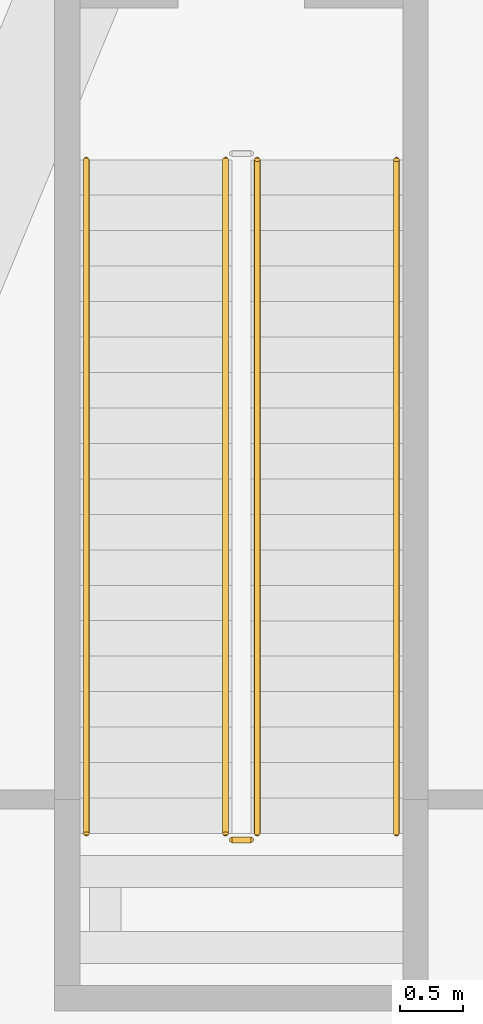
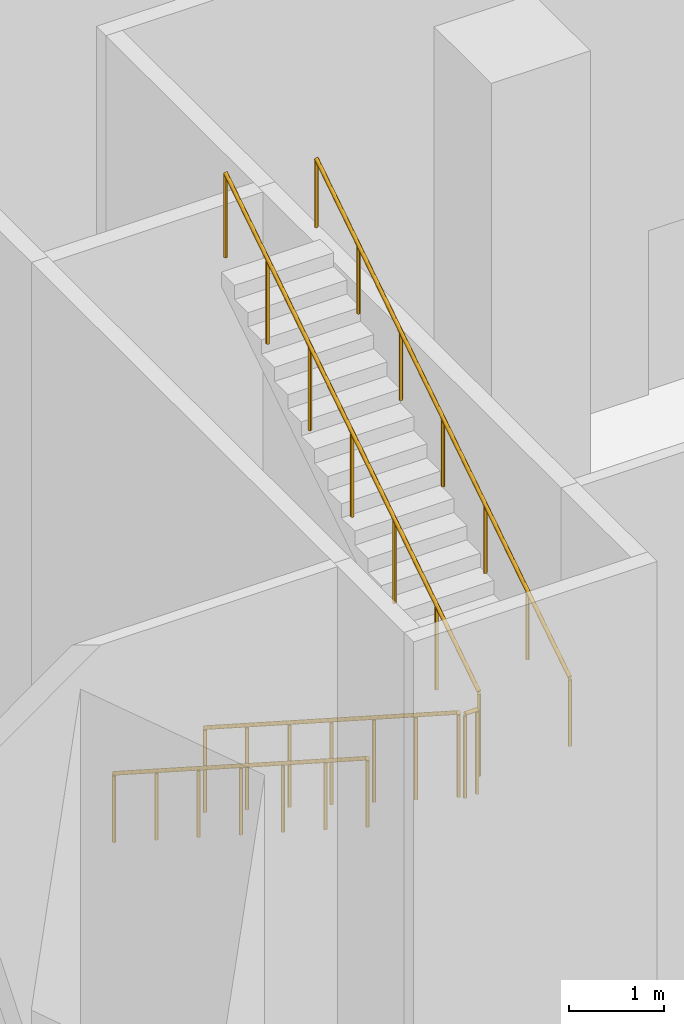
# One storey, part 40 of 48: 5 railings.
"""IFC4 building model written with IfcOpenShell, lengths in metres."""

from ifc_helpers import new_model, si_unit, direction, frame, origin, origin_2d, place, context, subcontext, project, spatial, circle, extrude, material, type_object, element, save


model = new_model("IFC4")

# Units and contexts
model_context = context("Model", 3, precision=1e-05, world=origin(), true_north=direction((0.0, 1.0)))
body_context = subcontext(model_context, "Body", "Model", "MODEL_VIEW")
ifc_project = project(units=[si_unit("LENGTHUNIT", "METRE"), si_unit("AREAUNIT", "SQUARE_METRE"), si_unit("VOLUMEUNIT", "CUBIC_METRE"), si_unit("PLANEANGLEUNIT", "RADIAN"), si_unit("MASSUNIT", "GRAM", prefix="KILO")], contexts=[model_context])

# Site, building, storey
site_placement = place(None, origin())
site = spatial("IfcSite", under=ifc_project, at=site_placement, CompositionType="ELEMENT")
building_placement = place(site_placement, origin())
building = spatial("IfcBuilding", under=site, at=building_placement, Name="Ogive Gate Towers", CompositionType="ELEMENT")
storey_placement = place(building_placement, origin())
storey = spatial("IfcBuildingStorey", under=building, at=storey_placement, Name="L00", CompositionType="ELEMENT", Elevation=0.0)

# Railings
ifc_material_1 = material(Name="Steel and glass guard", Category="steel")
railing_type_1 = type_object("IfcRailingType", Name="Podium stair guard 1100", PredefinedType="GUARDRAIL", material=ifc_material_1)
railing_1_placement = place(storey_placement, frame((58.14990234375, -10.949951171875, 0.179931640625)))
element("IfcRailing", 1, at=railing_1_placement, inside=storey, type_object=railing_type_1, Name="L00 PS2 stair guard 1", PredefinedType="GUARDRAIL", context=body_context, shape_type="SweptSolid", body=[
    extrude(circle(Radius=0.02392578125, at=origin_2d()), frame((0.0, 0.0, 1.076171875), z_axis=(0.0, -0.841169695817, 0.540771248162), x_axis=(1.0, 0.0, 0.0)), (0.0, 0.0, 1.0), 6.32470703125),
    extrude(circle(Radius=0.02099609375, at=origin_2d()), origin(), (0.0, 0.0, 1.0), 1.052001953125),
    extrude(circle(Radius=0.02099609375, at=origin_2d()), frame((0.0, -0.88671875, 0.570068359375)), (0.0, 0.0, 1.0), 1.052001953125),
    extrude(circle(Radius=0.02099609375, at=origin_2d()), frame((0.0, -1.7734375, 1.14013671875)), (0.0, 0.0, 1.0), 1.052001953125),
    extrude(circle(Radius=0.02099609375, at=origin_2d()), frame((0.0, -2.66015625, 1.7099609375)), (0.0, 0.0, 1.0), 1.052001953125),
    extrude(circle(Radius=0.02099609375, at=origin_2d()), frame((0.0, -3.546630859375, 2.280029296875)), (0.0, 0.0, 1.0), 1.052001953125),
    extrude(circle(Radius=0.02099609375, at=origin_2d()), frame((0.0, -4.433349609375, 2.85009765625)), (0.0, 0.0, 1.0), 1.052001953125),
    extrude(circle(Radius=0.02099609375, at=origin_2d()), frame((0.0, -5.320068359375, 3.420166015625)), (0.0, 0.0, 1.0), 1.052001953125),
])
railing_2_placement = place(storey_placement, frame((58.199951171875, -16.320068359375, 3.60009765625)))
element("IfcRailing", 2, at=railing_2_placement, inside=storey, type_object=railing_type_1, Name="L00 PS2 stair guard 2", PredefinedType="GUARDRAIL", context=body_context, shape_type="SweptSolid", body=[
    extrude(circle(Radius=0.02392578125, at=origin_2d()), frame((0.0, 0.0, 1.076171875), z_axis=(1.0, 0.0, 0.0), x_axis=(0.0, 1.0, 0.0)), (0.0, 0.0, 1.0), 0.150146484375),
    extrude(circle(Radius=0.02099609375, at=origin_2d()), origin(), (0.0, 0.0, 1.0), 1.052001953125),
    extrude(circle(Radius=0.02099609375, at=origin_2d()), frame((0.150146484375, 0.0, 0.0)), (0.0, 0.0, 1.0), 1.052001953125),
])
railing_3_placement = place(storey_placement, frame((58.39990234375, -16.27001953125, 3.780029296875)))
element("IfcRailing", 3, at=railing_3_placement, inside=storey, type_object=railing_type_1, Name="L00 PS2 stair guard 3", PredefinedType="GUARDRAIL", context=body_context, shape_type="SweptSolid", body=[
    extrude(circle(Radius=0.02392578125, at=origin_2d()), frame((0.0, 0.0, 1.076171875), z_axis=(0.0, 0.841187254898, 0.540743934037), x_axis=(-1.0, 0.0, 0.0)), (0.0, 0.0, 1.0), 6.324462890625),
    extrude(circle(Radius=0.02099609375, at=origin_2d()), origin(), (0.0, 0.0, 1.0), 1.052001953125),
    extrude(circle(Radius=0.02099609375, at=origin_2d()), frame((0.0, 0.88671875, 0.570068359375)), (0.0, 0.0, 1.0), 1.052001953125),
    extrude(circle(Radius=0.02099609375, at=origin_2d()), frame((0.0, 1.7734375, 1.139892578125)), (0.0, 0.0, 1.0), 1.052001953125),
    extrude(circle(Radius=0.02099609375, at=origin_2d()), frame((0.0, 2.66015625, 1.7099609375)), (0.0, 0.0, 1.0), 1.052001953125),
    extrude(circle(Radius=0.02099609375, at=origin_2d()), frame((0.0, 3.546630859375, 2.280029296875)), (0.0, 0.0, 1.0), 1.052001953125),
    extrude(circle(Radius=0.02099609375, at=origin_2d()), frame((0.0, 4.433349609375, 2.849853515625)), (0.0, 0.0, 1.0), 1.052001953125),
    extrude(circle(Radius=0.02099609375, at=origin_2d()), frame((0.0, 5.320068359375, 3.419921875)), (0.0, 0.0, 1.0), 1.052001953125),
])
ifc_material_2 = material(Name="Stainless steel handrail", Category="steel")
railing_type_2 = type_object("IfcRailingType", Name="Podium stair handrail 900", PredefinedType="HANDRAIL", material=ifc_material_2)
railing_4_placement = place(storey_placement, frame((57.050048828125, -10.949951171875, 0.179931640625)))
element("IfcRailing", 4, at=railing_4_placement, inside=storey, type_object=railing_type_2, Name="L00 PS2 stair handrail 1", PredefinedType="HANDRAIL", context=body_context, shape_type="SweptSolid", body=[
    extrude(circle(Radius=0.02392578125, at=origin_2d()), frame((0.0, 0.0, 0.8759765625), z_axis=(0.0, -0.841169695817, 0.540771248162), x_axis=(1.0, 0.0, 0.0)), (0.0, 0.0, 1.0), 6.32470703125),
    extrude(circle(Radius=0.02099609375, at=origin_2d()), origin(), (0.0, 0.0, 1.0), 0.851806640625),
    extrude(circle(Radius=0.02099609375, at=origin_2d()), frame((0.0, -0.88671875, 0.570068359375)), (0.0, 0.0, 1.0), 0.851806640625),
    extrude(circle(Radius=0.02099609375, at=origin_2d()), frame((0.0, -1.7734375, 1.14013671875)), (0.0, 0.0, 1.0), 0.851806640625),
    extrude(circle(Radius=0.02099609375, at=origin_2d()), frame((0.0, -2.66015625, 1.7099609375)), (0.0, 0.0, 1.0), 0.851806640625),
    extrude(circle(Radius=0.02099609375, at=origin_2d()), frame((0.0, -3.546630859375, 2.280029296875)), (0.0, 0.0, 1.0), 0.851806640625),
    extrude(circle(Radius=0.02099609375, at=origin_2d()), frame((0.0, -4.433349609375, 2.85009765625)), (0.0, 0.0, 1.0), 0.851806640625),
    extrude(circle(Radius=0.02099609375, at=origin_2d()), frame((0.0, -5.320068359375, 3.420166015625)), (0.0, 0.0, 1.0), 0.851806640625),
])
railing_5_placement = place(storey_placement, frame((59.5, -16.27001953125, 3.780029296875)))
element("IfcRailing", 5, at=railing_5_placement, inside=storey, type_object=railing_type_2, Name="L00 PS2 stair handrail 2", PredefinedType="HANDRAIL", context=body_context, shape_type="SweptSolid", body=[
    extrude(circle(Radius=0.02392578125, at=origin_2d()), frame((0.0, 0.0, 0.8759765625), z_axis=(0.0, 0.841187254898, 0.540743934037), x_axis=(-1.0, 0.0, 0.0)), (0.0, 0.0, 1.0), 6.324462890625),
    extrude(circle(Radius=0.02099609375, at=origin_2d()), origin(), (0.0, 0.0, 1.0), 0.851806640625),
    extrude(circle(Radius=0.02099609375, at=origin_2d()), frame((0.0, 0.88671875, 0.570068359375)), (0.0, 0.0, 1.0), 0.851806640625),
    extrude(circle(Radius=0.02099609375, at=origin_2d()), frame((0.0, 1.7734375, 1.139892578125)), (0.0, 0.0, 1.0), 0.851806640625),
    extrude(circle(Radius=0.02099609375, at=origin_2d()), frame((0.0, 2.66015625, 1.7099609375)), (0.0, 0.0, 1.0), 0.851806640625),
    extrude(circle(Radius=0.02099609375, at=origin_2d()), frame((0.0, 3.546630859375, 2.280029296875)), (0.0, 0.0, 1.0), 0.851806640625),
    extrude(circle(Radius=0.02099609375, at=origin_2d()), frame((0.0, 4.433349609375, 2.849853515625)), (0.0, 0.0, 1.0), 0.851806640625),
    extrude(circle(Radius=0.02099609375, at=origin_2d()), frame((0.0, 5.320068359375, 3.419921875)), (0.0, 0.0, 1.0), 0.851806640625),
])

save(model, "model.ifc")
